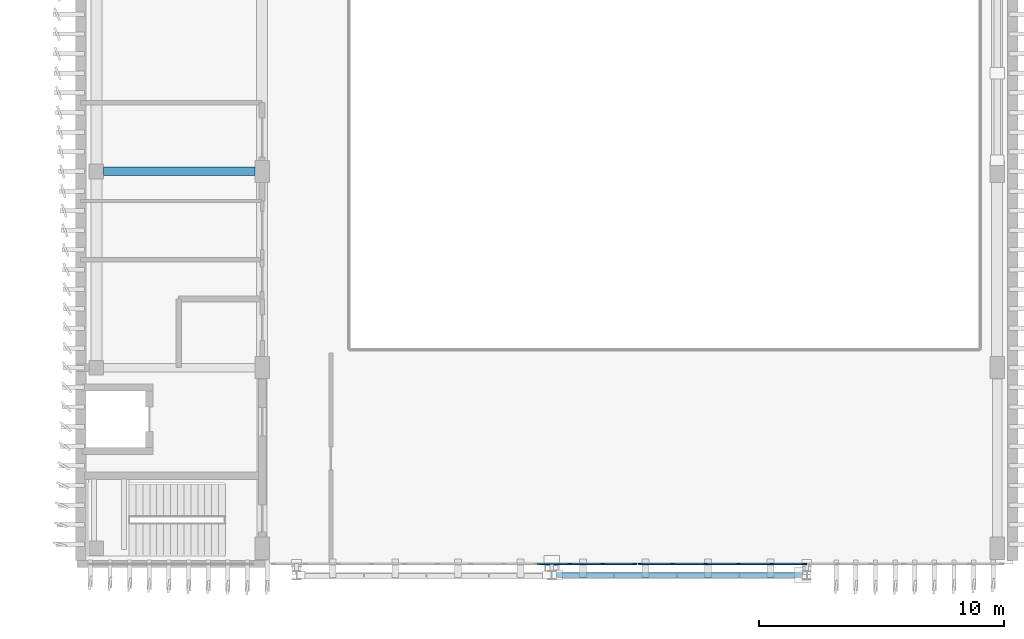
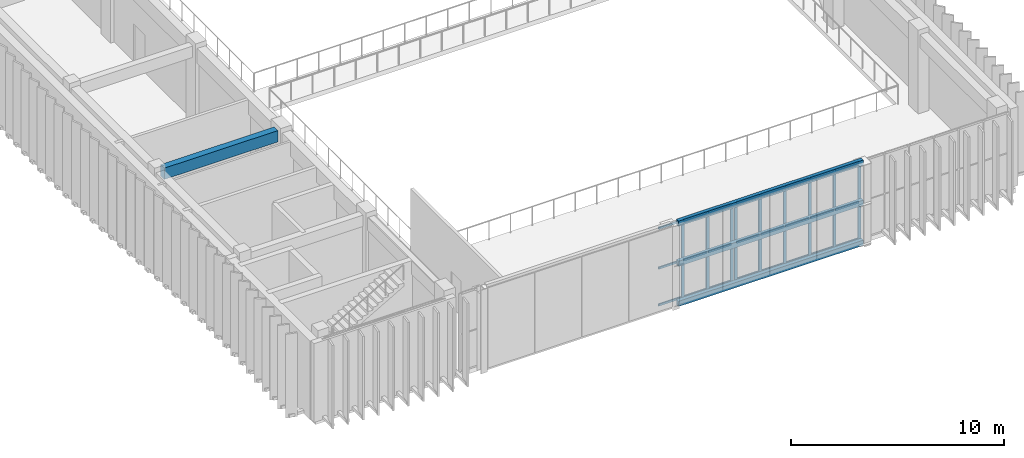
# One storey, part 5 of 64: 36 members, 1 beam, 2 elements without a shape of their own.
"""IFC4 building model written with IfcOpenShell, lengths in metres."""

from ifc_helpers import new_model, si_unit, direction, frame, origin, origin_2d, place, context, subcontext, project, spatial, rectangle, hollow_rectangle, extrude, material, layer, layer_set, material_profile, profile_set, type_object, element, aggregate, save


model = new_model("IFC4")

# Units and contexts
model_context = context("Model", 3, precision=1e-05, world=origin(), true_north=direction((0.0, 1.0)))
body_context = subcontext(model_context, "Body", "Model", "MODEL_VIEW")
ifc_project = project(units=[si_unit("LENGTHUNIT", "METRE"), si_unit("AREAUNIT", "SQUARE_METRE"), si_unit("VOLUMEUNIT", "CUBIC_METRE"), si_unit("PLANEANGLEUNIT", "RADIAN"), si_unit("MASSUNIT", "GRAM", prefix="KILO")], contexts=[model_context])

# Site, building, storey
site_placement = place(None, origin())
site = spatial("IfcSite", under=ifc_project, at=site_placement, CompositionType="ELEMENT")
building_placement = place(site_placement, origin())
building = spatial("IfcBuilding", under=site, at=building_placement, Name="Cinchona Park Media Centre", CompositionType="ELEMENT")
storey_placement = place(building_placement, frame((0.0, 0.0, 5.39990234375)))
storey = spatial("IfcBuildingStorey", under=building, at=storey_placement, Name="L01", CompositionType="ELEMENT", Elevation=5.39990234375)

# Beam
ifc_material_1 = material(Name="Concrete C35/45", Category="concrete")
ifc_material_profile_1 = material_profile(ifc_material_1, rectangle(XDim=0.35009765625, YDim=0.64990234375, at=origin_2d()), Name="RB 350X650")
ifc_profile_set_1 = profile_set([ifc_material_profile_1], Name="Concrete C35/45")
beam_type = type_object("IfcBeamType", Name="BEAM-B04-RB350X650", PredefinedType="BEAM", material=ifc_profile_set_1)
beam_placement = place(storey_placement, frame((8.93994140625, 23.60009765625, 4.195068359375), z_axis=(1.0, 0.0, 0.0), x_axis=(0.0, 1.0, 0.0)))
element("IfcBeam", 1, at=beam_placement, inside=storey, type_object=beam_type, Name="Beam B04 L01", PredefinedType="BEAM", context=body_context, shape_type="SweptSolid", body=[
    extrude(rectangle(XDim=0.35009765625, YDim=0.64990234375, at=origin_2d()), origin(), (0.0, 0.0, 1.0), 6.16015625),
])

# Members
ifc_material_2 = material(Name="Steel S355", Category="steel")
ifc_material_profile_2 = material_profile(ifc_material_2, hollow_rectangle(XDim=0.199951171875, YDim=0.300048828125, WallThickness=0.01611328125, at=origin_2d()), Name="300X200X16RHS")
ifc_profile_set_2 = profile_set([ifc_material_profile_2], Name="Steel S355")
member_type_1 = type_object("IfcMemberType", Name="MEMBER-TS05-RHS300X200X16", PredefinedType="STRUT", material=ifc_profile_set_2)
for number, where, z_axis, x_axis, name in (
    (2, (27.3798828125, 7.14990234375, 0.2001953125), (1.0, 0.0, 0.0), (0.0, 1.0, 0.0), "Entrance Screen Portal Member TS05 L01"),
    (3, (27.3798828125, 7.14990234375, 2.5), (1.0, 0.0, 0.0), (0.0, 1.0, 0.0), "Entrance Screen Portal Member TS05 L01"),
    (4, (27.3798828125, 7.14990234375, 4.800048828125), (1.0, 0.0, 0.0), (0.0, 1.0, 0.0), "Entrance Screen Portal Member TS05 L01"),
):
    element("IfcMember", number, at=place(storey_placement, frame(where, z_axis=z_axis, x_axis=x_axis)), inside=storey, type_object=member_type_1, Name=name, PredefinedType="STRUT", context=body_context, shape_type="SweptSolid", body=[
        extrude(hollow_rectangle(XDim=0.199951171875, YDim=0.300048828125, WallThickness=0.01611328125, at=origin_2d()), origin(), (0.0, 0.0, 1.0), 10.0400390625),
    ])

# Curtain wall, members
ifc_material_3 = material(Name="Aluminium Curtain Wall Framing", Category="aluminium")
ifc_layer_1 = layer(ifc_material_3, 0.22509765625)
ifc_layer_set_1 = layer_set([ifc_layer_1], Name="Aluminium Curtain Wall Framing")
curtain_wall_type_1 = type_object("IfcCurtainWallType", Name="CW-CW04", PredefinedType="USERDEFINED", material=ifc_layer_set_1)
curtain_wall_1_placement = place(storey_placement, origin())
curtain_wall_1 = element("IfcCurtainWall", 5, at=curtain_wall_1_placement, inside=storey, type_object=curtain_wall_type_1, Name="Curtain Wall CW04 L01", ObjectType="UNITISED CURTAIN WALL", PredefinedType="USERDEFINED")
ifc_material_4 = material(Name="Anodised Aluminium Alloy 6063-T6", Category="aluminium")
ifc_material_profile_3 = material_profile(ifc_material_4, rectangle(XDim=0.06494140625, YDim=0.159912109375, at=origin_2d()), Name="MUL-65X160")
ifc_profile_set_3 = profile_set([ifc_material_profile_3], Name="Anodised Aluminium Alloy 6063-T6")
member_type_2 = type_object("IfcMemberType", Name="MULLION-MUL01", PredefinedType="MULLION", material=ifc_profile_set_3)
member_1_placement = place(storey_placement, frame((37.50732421875, 7.60009765625, 0.050048828125), z_axis=(0.0, 0.0, 1.0), x_axis=(0.0, -1.0, 0.0)))
member_1 = element("IfcMember", 6, at=member_1_placement, type_object=member_type_2, Name="CW04 mullion 7", PredefinedType="MULLION", context=body_context, shape_type="SweptSolid", body=[
    extrude(rectangle(XDim=0.06494140625, YDim=0.159912109375, at=origin_2d()), origin(), (0.0, 0.0, 1.0), 4.469970703125),
])
member_2_placement = place(storey_placement, frame((36.161865234375, 7.60009765625, 0.050048828125), z_axis=(0.0, 0.0, 1.0), x_axis=(0.0, -1.0, 0.0)))
member_2 = element("IfcMember", 7, at=member_2_placement, type_object=member_type_2, Name="CW04 mullion 8", PredefinedType="MULLION", context=body_context, shape_type="SweptSolid", body=[
    extrude(rectangle(XDim=0.06494140625, YDim=0.159912109375, at=origin_2d()), origin(), (0.0, 0.0, 1.0), 4.469970703125),
])
member_3_placement = place(storey_placement, frame((34.81640625, 7.60009765625, 0.050048828125), z_axis=(0.0, 0.0, 1.0), x_axis=(0.0, -1.0, 0.0)))
member_3 = element("IfcMember", 8, at=member_3_placement, type_object=member_type_2, Name="CW04 mullion 9", PredefinedType="MULLION", context=body_context, shape_type="SweptSolid", body=[
    extrude(rectangle(XDim=0.06494140625, YDim=0.159912109375, at=origin_2d()), origin(), (0.0, 0.0, 1.0), 4.469970703125),
])
member_4_placement = place(storey_placement, frame((33.470947265625, 7.60009765625, 0.050048828125), z_axis=(0.0, 0.0, 1.0), x_axis=(0.0, -1.0, 0.0)))
member_4 = element("IfcMember", 9, at=member_4_placement, type_object=member_type_2, Name="CW04 mullion 10", PredefinedType="MULLION", context=body_context, shape_type="SweptSolid", body=[
    extrude(rectangle(XDim=0.06494140625, YDim=0.159912109375, at=origin_2d()), origin(), (0.0, 0.0, 1.0), 4.469970703125),
])
member_5_placement = place(storey_placement, frame((32.12548828125, 7.60009765625, 0.050048828125), z_axis=(0.0, 0.0, 1.0), x_axis=(0.0, -1.0, 0.0)))
member_5 = element("IfcMember", 10, at=member_5_placement, type_object=member_type_2, Name="CW04 mullion 11", PredefinedType="MULLION", context=body_context, shape_type="SweptSolid", body=[
    extrude(rectangle(XDim=0.06494140625, YDim=0.159912109375, at=origin_2d()), origin(), (0.0, 0.0, 1.0), 4.469970703125),
])
member_6_placement = place(storey_placement, frame((30.8125, 7.60009765625, 0.050048828125), z_axis=(0.0, 0.0, 1.0), x_axis=(0.0, -1.0, 0.0)))
member_6 = element("IfcMember", 11, at=member_6_placement, type_object=member_type_2, Name="CW04 mullion 12", PredefinedType="MULLION", context=body_context, shape_type="SweptSolid", body=[
    extrude(rectangle(XDim=0.06494140625, YDim=0.159912109375, at=origin_2d()), origin(), (0.0, 0.0, 1.0), 4.469970703125),
])

ifc_material_5 = material(Name="Aluminium Curtain Wall Framing", Category="aluminium")
ifc_layer_2 = layer(ifc_material_5, 0.239990234375)
ifc_layer_set_2 = layer_set([ifc_layer_2], Name="Aluminium Curtain Wall Framing")
curtain_wall_type_2 = type_object("IfcCurtainWallType", Name="CW-CW05", PredefinedType="USERDEFINED", material=ifc_layer_set_2)
curtain_wall_2_placement = place(storey_placement, origin())
curtain_wall_2 = element("IfcCurtainWall", 12, at=curtain_wall_2_placement, inside=storey, type_object=curtain_wall_type_2, Name="Curtain Wall CW05 L01", ObjectType="UNITISED CURTAIN WALL", PredefinedType="USERDEFINED")
member_7_placement = place(storey_placement, frame((30.58740234375, 7.60009765625, 0.050048828125), z_axis=(0.0, 0.0, 1.0), x_axis=(0.0, -1.0, 0.0)))
member_7 = element("IfcMember", 13, at=member_7_placement, type_object=member_type_2, Name="CW05 mullion 1", PredefinedType="MULLION", context=body_context, shape_type="SweptSolid", body=[
    extrude(rectangle(XDim=0.06494140625, YDim=0.159912109375, at=origin_2d()), origin(), (0.0, 0.0, 1.0), 4.469970703125),
])
member_8_placement = place(storey_placement, frame((29.274658203125, 7.60009765625, 0.050048828125), z_axis=(0.0, 0.0, 1.0), x_axis=(0.0, -1.0, 0.0)))
member_8 = element("IfcMember", 14, at=member_8_placement, type_object=member_type_2, Name="CW05 mullion 2", PredefinedType="MULLION", context=body_context, shape_type="SweptSolid", body=[
    extrude(rectangle(XDim=0.06494140625, YDim=0.159912109375, at=origin_2d()), origin(), (0.0, 0.0, 1.0), 4.469970703125),
])
member_9_placement = place(storey_placement, frame((27.92919921875, 7.60009765625, 0.050048828125), z_axis=(0.0, 0.0, 1.0), x_axis=(0.0, -1.0, 0.0)))
member_9 = element("IfcMember", 15, at=member_9_placement, type_object=member_type_2, Name="CW05 mullion 3", PredefinedType="MULLION", context=body_context, shape_type="SweptSolid", body=[
    extrude(rectangle(XDim=0.06494140625, YDim=0.159912109375, at=origin_2d()), origin(), (0.0, 0.0, 1.0), 4.469970703125),
])

# Member
ifc_material_6 = material(Name="Anodised Aluminium Alloy 6063-T6", Category="aluminium")
ifc_material_profile_4 = material_profile(ifc_material_6, rectangle(XDim=0.06494140625, YDim=0.1201171875, at=origin_2d()), Name="TRN-65X120")
ifc_profile_set_4 = profile_set([ifc_material_profile_4], Name="Anodised Aluminium Alloy 6063-T6")
member_type_3 = type_object("IfcMemberType", Name="TRANSOM-TRN01", PredefinedType="USERDEFINED", material=ifc_profile_set_4)
member_10_placement = place(storey_placement, frame((37.474853515625, 7.60009765625, 0.08251953125), z_axis=(-1.0, 0.0, 0.0), x_axis=(0.0, -1.0, 0.0)))
member_10 = element("IfcMember", 16, at=member_10_placement, type_object=member_type_3, Name="CW04 transom 7.1", ObjectType="TRANSOM", PredefinedType="USERDEFINED", context=body_context, shape_type="SweptSolid", body=[
    extrude(rectangle(XDim=0.06494140625, YDim=0.1201171875, at=origin_2d()), origin(), (0.0, 0.0, 1.0), 1.280517578125),
])

member_11_placement = place(storey_placement, frame((37.474853515625, 7.60009765625, 2.196044921875), z_axis=(-1.0, 0.0, 0.0), x_axis=(0.0, -1.0, 0.0)))
member_11 = element("IfcMember", 17, at=member_11_placement, type_object=member_type_3, Name="CW04 transom 7.2", ObjectType="TRANSOM", PredefinedType="USERDEFINED", context=body_context, shape_type="SweptSolid", body=[
    extrude(rectangle(XDim=0.06494140625, YDim=0.1201171875, at=origin_2d()), origin(), (0.0, 0.0, 1.0), 1.280517578125),
])

member_12_placement = place(storey_placement, frame((37.474853515625, 7.60009765625, 4.487548828125), z_axis=(-1.0, 0.0, 0.0), x_axis=(0.0, -1.0, 0.0)))
member_12 = element("IfcMember", 18, at=member_12_placement, type_object=member_type_3, Name="CW04 transom 7.3", ObjectType="TRANSOM", PredefinedType="USERDEFINED", context=body_context, shape_type="SweptSolid", body=[
    extrude(rectangle(XDim=0.06494140625, YDim=0.1201171875, at=origin_2d()), origin(), (0.0, 0.0, 1.0), 1.280517578125),
])

member_13_placement = place(storey_placement, frame((36.12939453125, 7.60009765625, 0.08251953125), z_axis=(-1.0, 0.0, 0.0), x_axis=(0.0, -1.0, 0.0)))
member_13 = element("IfcMember", 19, at=member_13_placement, type_object=member_type_3, Name="CW04 transom 8.1", ObjectType="TRANSOM", PredefinedType="USERDEFINED", context=body_context, shape_type="SweptSolid", body=[
    extrude(rectangle(XDim=0.06494140625, YDim=0.1201171875, at=origin_2d()), origin(), (0.0, 0.0, 1.0), 1.280517578125),
])

member_14_placement = place(storey_placement, frame((36.12939453125, 7.60009765625, 2.196044921875), z_axis=(-1.0, 0.0, 0.0), x_axis=(0.0, -1.0, 0.0)))
member_14 = element("IfcMember", 20, at=member_14_placement, type_object=member_type_3, Name="CW04 transom 8.2", ObjectType="TRANSOM", PredefinedType="USERDEFINED", context=body_context, shape_type="SweptSolid", body=[
    extrude(rectangle(XDim=0.06494140625, YDim=0.1201171875, at=origin_2d()), origin(), (0.0, 0.0, 1.0), 1.280517578125),
])

member_15_placement = place(storey_placement, frame((36.12939453125, 7.60009765625, 4.487548828125), z_axis=(-1.0, 0.0, 0.0), x_axis=(0.0, -1.0, 0.0)))
member_15 = element("IfcMember", 21, at=member_15_placement, type_object=member_type_3, Name="CW04 transom 8.3", ObjectType="TRANSOM", PredefinedType="USERDEFINED", context=body_context, shape_type="SweptSolid", body=[
    extrude(rectangle(XDim=0.06494140625, YDim=0.1201171875, at=origin_2d()), origin(), (0.0, 0.0, 1.0), 1.280517578125),
])

member_16_placement = place(storey_placement, frame((34.783935546875, 7.60009765625, 0.08251953125), z_axis=(-1.0, 0.0, 0.0), x_axis=(0.0, -1.0, 0.0)))
member_16 = element("IfcMember", 22, at=member_16_placement, type_object=member_type_3, Name="CW04 transom 9.1", ObjectType="TRANSOM", PredefinedType="USERDEFINED", context=body_context, shape_type="SweptSolid", body=[
    extrude(rectangle(XDim=0.06494140625, YDim=0.1201171875, at=origin_2d()), origin(), (0.0, 0.0, 1.0), 1.280517578125),
])

member_17_placement = place(storey_placement, frame((34.783935546875, 7.60009765625, 2.196044921875), z_axis=(-1.0, 0.0, 0.0), x_axis=(0.0, -1.0, 0.0)))
member_17 = element("IfcMember", 23, at=member_17_placement, type_object=member_type_3, Name="CW04 transom 9.2", ObjectType="TRANSOM", PredefinedType="USERDEFINED", context=body_context, shape_type="SweptSolid", body=[
    extrude(rectangle(XDim=0.06494140625, YDim=0.1201171875, at=origin_2d()), origin(), (0.0, 0.0, 1.0), 1.280517578125),
])

member_18_placement = place(storey_placement, frame((34.783935546875, 7.60009765625, 4.487548828125), z_axis=(-1.0, 0.0, 0.0), x_axis=(0.0, -1.0, 0.0)))
member_18 = element("IfcMember", 24, at=member_18_placement, type_object=member_type_3, Name="CW04 transom 9.3", ObjectType="TRANSOM", PredefinedType="USERDEFINED", context=body_context, shape_type="SweptSolid", body=[
    extrude(rectangle(XDim=0.06494140625, YDim=0.1201171875, at=origin_2d()), origin(), (0.0, 0.0, 1.0), 1.280517578125),
])

member_19_placement = place(storey_placement, frame((33.4384765625, 7.60009765625, 0.08251953125), z_axis=(-1.0, 0.0, 0.0), x_axis=(0.0, -1.0, 0.0)))
member_19 = element("IfcMember", 25, at=member_19_placement, type_object=member_type_3, Name="CW04 transom 10.1", ObjectType="TRANSOM", PredefinedType="USERDEFINED", context=body_context, shape_type="SweptSolid", body=[
    extrude(rectangle(XDim=0.06494140625, YDim=0.1201171875, at=origin_2d()), origin(), (0.0, 0.0, 1.0), 1.280517578125),
])

member_20_placement = place(storey_placement, frame((33.4384765625, 7.60009765625, 2.196044921875), z_axis=(-1.0, 0.0, 0.0), x_axis=(0.0, -1.0, 0.0)))
member_20 = element("IfcMember", 26, at=member_20_placement, type_object=member_type_3, Name="CW04 transom 10.2", ObjectType="TRANSOM", PredefinedType="USERDEFINED", context=body_context, shape_type="SweptSolid", body=[
    extrude(rectangle(XDim=0.06494140625, YDim=0.1201171875, at=origin_2d()), origin(), (0.0, 0.0, 1.0), 1.280517578125),
])

member_21_placement = place(storey_placement, frame((33.4384765625, 7.60009765625, 4.487548828125), z_axis=(-1.0, 0.0, 0.0), x_axis=(0.0, -1.0, 0.0)))
member_21 = element("IfcMember", 27, at=member_21_placement, type_object=member_type_3, Name="CW04 transom 10.3", ObjectType="TRANSOM", PredefinedType="USERDEFINED", context=body_context, shape_type="SweptSolid", body=[
    extrude(rectangle(XDim=0.06494140625, YDim=0.1201171875, at=origin_2d()), origin(), (0.0, 0.0, 1.0), 1.280517578125),
])

member_22_placement = place(storey_placement, frame((32.093017578125, 7.60009765625, 0.08251953125), z_axis=(-1.0, 0.0, 0.0), x_axis=(0.0, -1.0, 0.0)))
member_22 = element("IfcMember", 28, at=member_22_placement, type_object=member_type_3, Name="CW04 transom 11.1", ObjectType="TRANSOM", PredefinedType="USERDEFINED", context=body_context, shape_type="SweptSolid", body=[
    extrude(rectangle(XDim=0.06494140625, YDim=0.1201171875, at=origin_2d()), origin(), (0.0, 0.0, 1.0), 1.248046875),
])

member_23_placement = place(storey_placement, frame((32.093017578125, 7.60009765625, 2.196044921875), z_axis=(-1.0, 0.0, 0.0), x_axis=(0.0, -1.0, 0.0)))
member_23 = element("IfcMember", 29, at=member_23_placement, type_object=member_type_3, Name="CW04 transom 11.2", ObjectType="TRANSOM", PredefinedType="USERDEFINED", context=body_context, shape_type="SweptSolid", body=[
    extrude(rectangle(XDim=0.06494140625, YDim=0.1201171875, at=origin_2d()), origin(), (0.0, 0.0, 1.0), 1.248046875),
])

member_24_placement = place(storey_placement, frame((32.093017578125, 7.60009765625, 4.487548828125), z_axis=(-1.0, 0.0, 0.0), x_axis=(0.0, -1.0, 0.0)))
member_24 = element("IfcMember", 30, at=member_24_placement, type_object=member_type_3, Name="CW04 transom 11.3", ObjectType="TRANSOM", PredefinedType="USERDEFINED", context=body_context, shape_type="SweptSolid", body=[
    extrude(rectangle(XDim=0.06494140625, YDim=0.1201171875, at=origin_2d()), origin(), (0.0, 0.0, 1.0), 1.248046875),
])

aggregate(curtain_wall_1, [member_1, member_2, member_3, member_4, member_5, member_6, member_10, member_11, member_12, member_13, member_14, member_15, member_16, member_17, member_18, member_19, member_20, member_21, member_22, member_23, member_24])

member_25_placement = place(storey_placement, frame((30.554931640625, 7.60009765625, 0.08251953125), z_axis=(-1.0, 0.0, 0.0), x_axis=(0.0, -1.0, 0.0)))
member_25 = element("IfcMember", 31, at=member_25_placement, type_object=member_type_3, Name="CW05 transom 1.1", ObjectType="TRANSOM", PredefinedType="USERDEFINED", context=body_context, shape_type="SweptSolid", body=[
    extrude(rectangle(XDim=0.06494140625, YDim=0.1201171875, at=origin_2d()), origin(), (0.0, 0.0, 1.0), 1.247802734375),
])

member_26_placement = place(storey_placement, frame((30.554931640625, 7.60009765625, 2.196044921875), z_axis=(-1.0, 0.0, 0.0), x_axis=(0.0, -1.0, 0.0)))
member_26 = element("IfcMember", 32, at=member_26_placement, type_object=member_type_3, Name="CW05 transom 1.2", ObjectType="TRANSOM", PredefinedType="USERDEFINED", context=body_context, shape_type="SweptSolid", body=[
    extrude(rectangle(XDim=0.06494140625, YDim=0.1201171875, at=origin_2d()), origin(), (0.0, 0.0, 1.0), 1.247802734375),
])

member_27_placement = place(storey_placement, frame((30.554931640625, 7.60009765625, 4.487548828125), z_axis=(-1.0, 0.0, 0.0), x_axis=(0.0, -1.0, 0.0)))
member_27 = element("IfcMember", 33, at=member_27_placement, type_object=member_type_3, Name="CW05 transom 1.3", ObjectType="TRANSOM", PredefinedType="USERDEFINED", context=body_context, shape_type="SweptSolid", body=[
    extrude(rectangle(XDim=0.06494140625, YDim=0.1201171875, at=origin_2d()), origin(), (0.0, 0.0, 1.0), 1.247802734375),
])

member_28_placement = place(storey_placement, frame((29.241943359375, 7.60009765625, 0.08251953125), z_axis=(-1.0, 0.0, 0.0), x_axis=(0.0, -1.0, 0.0)))
member_28 = element("IfcMember", 34, at=member_28_placement, type_object=member_type_3, Name="CW05 transom 2.1", ObjectType="TRANSOM", PredefinedType="USERDEFINED", context=body_context, shape_type="SweptSolid", body=[
    extrude(rectangle(XDim=0.06494140625, YDim=0.1201171875, at=origin_2d()), origin(), (0.0, 0.0, 1.0), 1.2802734375),
])

member_29_placement = place(storey_placement, frame((29.241943359375, 7.60009765625, 2.196044921875), z_axis=(-1.0, 0.0, 0.0), x_axis=(0.0, -1.0, 0.0)))
member_29 = element("IfcMember", 35, at=member_29_placement, type_object=member_type_3, Name="CW05 transom 2.2", ObjectType="TRANSOM", PredefinedType="USERDEFINED", context=body_context, shape_type="SweptSolid", body=[
    extrude(rectangle(XDim=0.06494140625, YDim=0.1201171875, at=origin_2d()), origin(), (0.0, 0.0, 1.0), 1.2802734375),
])

member_30_placement = place(storey_placement, frame((29.241943359375, 7.60009765625, 4.487548828125), z_axis=(-1.0, 0.0, 0.0), x_axis=(0.0, -1.0, 0.0)))
member_30 = element("IfcMember", 36, at=member_30_placement, type_object=member_type_3, Name="CW05 transom 2.3", ObjectType="TRANSOM", PredefinedType="USERDEFINED", context=body_context, shape_type="SweptSolid", body=[
    extrude(rectangle(XDim=0.06494140625, YDim=0.1201171875, at=origin_2d()), origin(), (0.0, 0.0, 1.0), 1.2802734375),
])

member_31_placement = place(storey_placement, frame((27.896484375, 7.60009765625, 0.08251953125), z_axis=(-1.0, 0.0, 0.0), x_axis=(0.0, -1.0, 0.0)))
member_31 = element("IfcMember", 37, at=member_31_placement, type_object=member_type_3, Name="CW05 transom 3.1", ObjectType="TRANSOM", PredefinedType="USERDEFINED", context=body_context, shape_type="SweptSolid", body=[
    extrude(rectangle(XDim=0.06494140625, YDim=0.1201171875, at=origin_2d()), origin(), (0.0, 0.0, 1.0), 1.2802734375),
])

member_32_placement = place(storey_placement, frame((27.896484375, 7.60009765625, 2.196044921875), z_axis=(-1.0, 0.0, 0.0), x_axis=(0.0, -1.0, 0.0)))
member_32 = element("IfcMember", 38, at=member_32_placement, type_object=member_type_3, Name="CW05 transom 3.2", ObjectType="TRANSOM", PredefinedType="USERDEFINED", context=body_context, shape_type="SweptSolid", body=[
    extrude(rectangle(XDim=0.06494140625, YDim=0.1201171875, at=origin_2d()), origin(), (0.0, 0.0, 1.0), 1.2802734375),
])

member_33_placement = place(storey_placement, frame((27.896484375, 7.60009765625, 4.487548828125), z_axis=(-1.0, 0.0, 0.0), x_axis=(0.0, -1.0, 0.0)))
member_33 = element("IfcMember", 39, at=member_33_placement, type_object=member_type_3, Name="CW05 transom 3.3", ObjectType="TRANSOM", PredefinedType="USERDEFINED", context=body_context, shape_type="SweptSolid", body=[
    extrude(rectangle(XDim=0.06494140625, YDim=0.1201171875, at=origin_2d()), origin(), (0.0, 0.0, 1.0), 1.2802734375),
])

aggregate(curtain_wall_2, [member_7, member_8, member_9, member_25, member_26, member_27, member_28, member_29, member_30, member_31, member_32, member_33])

save(model, "model.ifc")
